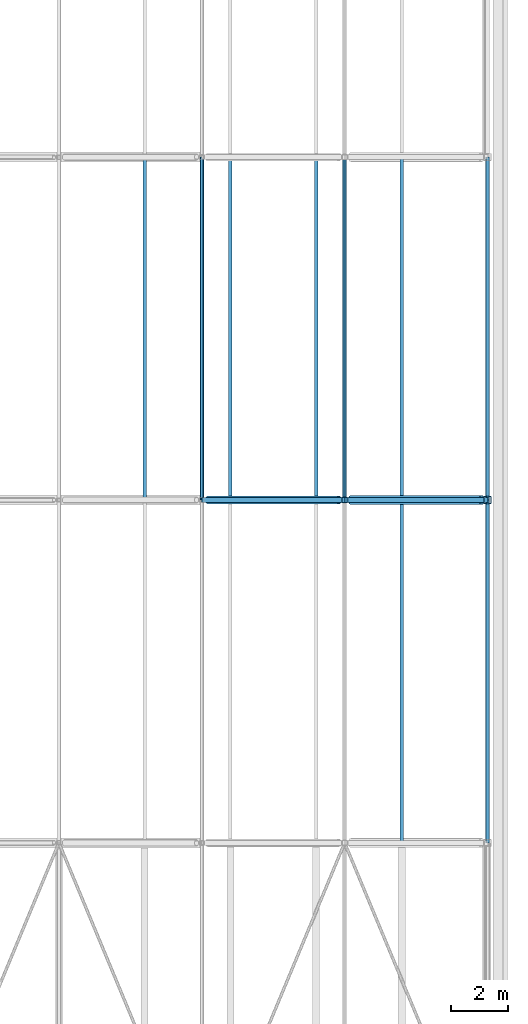
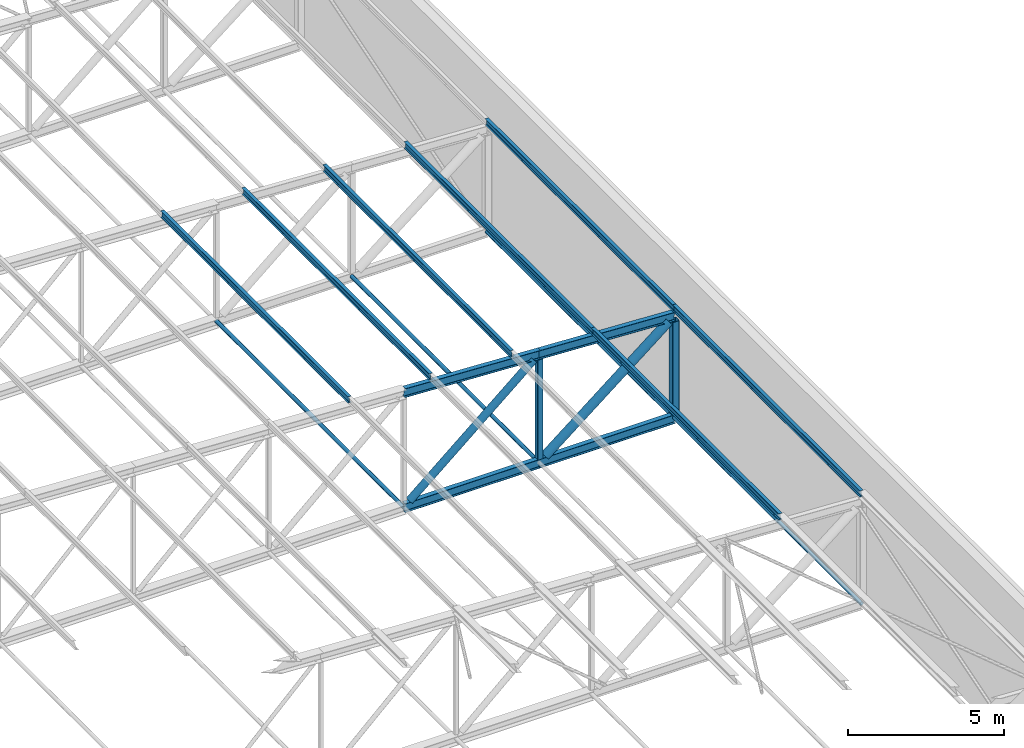
# One storey, part 43 of 156: 19 members.
"""IFC4 building model written with IfcOpenShell, lengths in metres."""

from ifc_helpers import new_model, si_unit, direction, frame, origin, origin_2d, place, context, subcontext, project, spatial, hollow_rectangle, hollow_circle, i_section, extrude, material, material_profile, profile_set, type_object, element, save


model = new_model("IFC4")

# Units and contexts
model_context = context("Model", 3, precision=1e-05, world=origin(), true_north=direction((0.0, 1.0)))
body_context = subcontext(model_context, "Body", "Model", "MODEL_VIEW")
ifc_project = project(units=[si_unit("LENGTHUNIT", "METRE"), si_unit("AREAUNIT", "SQUARE_METRE"), si_unit("VOLUMEUNIT", "CUBIC_METRE"), si_unit("PLANEANGLEUNIT", "RADIAN"), si_unit("MASSUNIT", "GRAM", prefix="KILO")], contexts=[model_context])

# Site, building, storey
site_placement = place(None, origin())
site = spatial("IfcSite", under=ifc_project, at=site_placement, CompositionType="ELEMENT")
building_placement = place(site_placement, origin())
building = spatial("IfcBuilding", under=site, at=building_placement, Name="Lilac Gate Convention Centre", CompositionType="ELEMENT")
storey_placement = place(building_placement, frame((0.0, 0.0, 17.0)))
storey = spatial("IfcBuildingStorey", under=building, at=storey_placement, Name="L03", CompositionType="ELEMENT", Elevation=17.0)

# Members
ifc_material = material(Name="Steel Q355B", Category="steel")
ifc_material_profile_1 = material_profile(ifc_material, hollow_circle(Radius=0.06982421875, WallThickness=0.0048828125, at=origin_2d()), Name="CHS139.7x5")
ifc_profile_set_1 = profile_set([ifc_material_profile_1], Name="Steel Q355B")
member_type_1 = type_object("IfcMemberType", Name="Bottom chord tie CHS139.7x5", PredefinedType="STRUT", material=ifc_profile_set_1)
for number, where, z_axis, x_axis, name in (
    (1, (90.0, 42.00341796875, 0.0), (0.0, 1.0, 0.0), (-1.0, 0.0, 0.0), "ST1 tie bay 2 node 13"),
    (2, (80.0, 54.00341796875, 0.0), (0.0, 1.0, 0.0), (-1.0, 0.0, 0.0), "ST1 tie bay 3 node 11"),
    (3, (85.0, 54.00341796875, 0.0), (0.0, 1.0, 0.0), (-1.0, 0.0, 0.0), "ST1 tie bay 3 node 12"),
    (4, (90.0, 54.00341796875, 0.0), (0.0, 1.0, 0.0), (-1.0, 0.0, 0.0), "ST1 tie bay 3 node 13"),
):
    element("IfcMember", number, at=place(storey_placement, frame(where, z_axis=z_axis, x_axis=x_axis)), inside=storey, type_object=member_type_1, Name=name, PredefinedType="STRUT", context=body_context, shape_type="SweptSolid", body=[
        extrude(hollow_circle(Radius=0.06982421875, WallThickness=0.0048828125, at=origin_2d()), origin(), (0.0, 0.0, 1.0), 11.9931640625),
    ])
ifc_material_profile_2 = material_profile(ifc_material, i_section(OverallWidth=0.125, OverallDepth=0.25, WebThickness=0.006103515625, FlangeThickness=0.009033203125, FilletRadius=0.008056640625, at=origin_2d()), Name="HN250x125x6x9")
ifc_profile_set_2 = profile_set([ifc_material_profile_2], Name="Steel Q355B")
member_type_2 = type_object("IfcMemberType", Name="Roof purlin HN250x125x6x9", PredefinedType="PURLIN", material=ifc_profile_set_2)
for number, where, z_axis, x_axis, name in (
    (5, (87.0, 42.0, 4.4501953125), (0.0, 1.0, 0.0), (-1.0, 0.0, 0.0), "PU2 purlin bay 2 line 20"),
    (6, (90.0, 42.0, 4.30029296875), (0.0, 1.0, 0.0), (-1.0, 0.0, 0.0), "PU2 purlin bay 2 line 21"),
    (7, (78.0, 54.0, 4.900146484375), (0.0, 1.0, 0.0), (-1.0, 0.0, 0.0), "PU2 purlin bay 3 line 17"),
    (8, (81.0, 54.0, 4.750244140625), (0.0, 1.0, 0.0), (-1.0, 0.0, 0.0), "PU2 purlin bay 3 line 18"),
    (9, (84.0, 54.0, 4.60009765625), (0.0, 1.0, 0.0), (-1.0, 0.0, 0.0), "PU2 purlin bay 3 line 19"),
    (10, (87.0, 54.0, 4.4501953125), (0.0, 1.0, 0.0), (-1.0, 0.0, 0.0), "PU2 purlin bay 3 line 20"),
    (11, (90.0, 54.0, 4.30029296875), (0.0, 1.0, 0.0), (-1.0, 0.0, 0.0), "PU2 purlin bay 3 line 21"),
):
    element("IfcMember", number, at=place(storey_placement, frame(where, z_axis=z_axis, x_axis=x_axis)), inside=storey, type_object=member_type_2, Name=name, PredefinedType="PURLIN", context=body_context, shape_type="SweptSolid", body=[
        extrude(i_section(OverallWidth=0.125, OverallDepth=0.25, WebThickness=0.006103515625, FlangeThickness=0.009033203125, FilletRadius=0.008056640625, at=origin_2d()), origin(), (0.0, 0.0, 1.0), 12.0),
    ])
ifc_material_profile_3 = material_profile(ifc_material, i_section(OverallWidth=0.175048828125, OverallDepth=0.35009765625, WebThickness=0.007080078125, FlangeThickness=0.010986328125, FilletRadius=0.012939453125, at=origin_2d()), Name="HN350x175x7x11")
ifc_profile_set_3 = profile_set([ifc_material_profile_3], Name="Steel Q355B")
member_type_3 = type_object("IfcMemberType", Name="Truss bottom chord HN350x175x7x11", PredefinedType="CHORD", material=ifc_profile_set_3)
for number, where, z_axis, x_axis, name in (
    (12, (80.0, 54.0, 0.0), (1.0, 0.0, 0.0), (0.0, 1.0, 0.0), "TB1 truss 3 bottom chord 11"),
    (13, (85.0, 54.0, 0.0), (1.0, 0.0, 0.0), (0.0, 1.0, 0.0), "TB1 truss 3 bottom chord 12"),
):
    element("IfcMember", number, at=place(storey_placement, frame(where, z_axis=z_axis, x_axis=x_axis)), inside=storey, type_object=member_type_3, Name=name, PredefinedType="CHORD", context=body_context, shape_type="SweptSolid", body=[
        extrude(i_section(OverallWidth=0.175048828125, OverallDepth=0.35009765625, WebThickness=0.007080078125, FlangeThickness=0.010986328125, FilletRadius=0.012939453125, at=origin_2d()), origin(), (0.0, 0.0, 1.0), 5.0),
    ])
ifc_material_profile_4 = material_profile(ifc_material, hollow_circle(Radius=0.136474609375, WallThickness=0.010009765625, at=origin_2d()), Name="CHS273x10")
ifc_profile_set_4 = profile_set([ifc_material_profile_4], Name="Steel Q355B")
member_type_4 = type_object("IfcMemberType", Name="Truss diagonal CHS273x10", PredefinedType="BRACE", material=ifc_profile_set_4)
member_1_placement = place(storey_placement, frame((84.806884765625, 54.0, 4.085693359375), z_axis=(-0.761961263863, 0.0, -0.647622600263), x_axis=(0.0, -1.0, 0.0)))
element("IfcMember", 14, at=member_1_placement, inside=storey, type_object=member_type_4, Name="TW2 truss 3 diagonal 11", PredefinedType="BRACE", context=body_context, shape_type="SweptSolid", body=[
    extrude(hollow_circle(Radius=0.136474609375, WallThickness=0.010009765625, at=origin_2d()), origin(), (0.0, 0.0, 1.0), 6.03857421875),
])
ifc_material_profile_5 = material_profile(ifc_material, hollow_circle(Radius=0.161865234375, WallThickness=0.011962890625, at=origin_2d()), Name="CHS323.9x12")
ifc_profile_set_5 = profile_set([ifc_material_profile_5], Name="Steel Q355B")
member_type_5 = type_object("IfcMemberType", Name="Truss diagonal CHS323.9x12", PredefinedType="BRACE", material=ifc_profile_set_5)
member_2_placement = place(storey_placement, frame((89.794677734375, 54.0, 3.835693359375), z_axis=(-0.780876938611, 0.0, -0.624684885959), x_axis=(0.0, -1.0, 0.0)))
element("IfcMember", 15, at=member_2_placement, inside=storey, type_object=member_type_5, Name="TW1 truss 3 diagonal 12", PredefinedType="BRACE", context=body_context, shape_type="SweptSolid", body=[
    extrude(hollow_circle(Radius=0.161865234375, WallThickness=0.011962890625, at=origin_2d()), origin(), (0.0, 0.0, 1.0), 5.860107421875),
])
ifc_material_profile_6 = material_profile(ifc_material, i_section(OverallWidth=0.175048828125, OverallDepth=0.35009765625, WebThickness=0.007080078125, FlangeThickness=0.010986328125, FilletRadius=0.012939453125, at=origin_2d()), Name="HN350x175x7x11")
ifc_profile_set_6 = profile_set([ifc_material_profile_6], Name="Steel Q355B")
member_type_6 = type_object("IfcMemberType", Name="Truss top chord HN350x175x7x11", PredefinedType="CHORD", material=ifc_profile_set_6)
for number, where, z_axis, x_axis, name in (
    (16, (80.0, 54.0, 4.5), (0.998752338878, 0.0, -0.049937616944), (0.0, 1.0, 0.0), "TT1 truss 3 top chord 11"),
    (17, (85.0, 54.0, 4.25), (0.998752338878, 0.0, -0.049937616944), (0.0, 1.0, 0.0), "TT1 truss 3 top chord 12"),
):
    element("IfcMember", number, at=place(storey_placement, frame(where, z_axis=z_axis, x_axis=x_axis)), inside=storey, type_object=member_type_6, Name=name, PredefinedType="CHORD", context=body_context, shape_type="SweptSolid", body=[
        extrude(i_section(OverallWidth=0.175048828125, OverallDepth=0.35009765625, WebThickness=0.007080078125, FlangeThickness=0.010986328125, FilletRadius=0.012939453125, at=origin_2d()), origin(), (0.0, 0.0, 1.0), 5.00634765625),
    ])
ifc_material_profile_7 = material_profile(ifc_material, hollow_rectangle(XDim=0.199951171875, YDim=0.199951171875, WallThickness=0.008056640625, InnerFilletRadius=0.011962890625, OuterFilletRadius=0.02001953125, at=origin_2d()), Name="SHS200x200x8")
ifc_profile_set_7 = profile_set([ifc_material_profile_7], Name="Steel Q355B")
member_type_7 = type_object("IfcMemberType", Name="Truss vertical SHS200x200x8", PredefinedType="STRUT", material=ifc_profile_set_7)
member_3_placement = place(storey_placement, frame((85.0, 54.0, 0.175048828125), z_axis=(0.0, 0.0, 1.0), x_axis=(1.0, 0.0, 0.0)))
element("IfcMember", 18, at=member_3_placement, inside=storey, type_object=member_type_7, Name="TV2 truss 3 vertical 12", PredefinedType="STRUT", context=body_context, shape_type="SweptSolid", body=[
    extrude(hollow_rectangle(XDim=0.199951171875, YDim=0.199951171875, WallThickness=0.008056640625, InnerFilletRadius=0.011962890625, OuterFilletRadius=0.02001953125, at=origin_2d()), origin(), (0.0, 0.0, 1.0), 3.899658203125),
])
ifc_material_profile_8 = material_profile(ifc_material, hollow_rectangle(XDim=0.25, YDim=0.25, WallThickness=0.010009765625, InnerFilletRadius=0.014892578125, OuterFilletRadius=0.02490234375, at=origin_2d()), Name="SHS250x250x10")
ifc_profile_set_8 = profile_set([ifc_material_profile_8], Name="Steel Q355B")
member_type_8 = type_object("IfcMemberType", Name="Truss vertical SHS250x250x10", PredefinedType="STRUT", material=ifc_profile_set_8)
member_4_placement = place(storey_placement, frame((90.0, 54.0, 0.175048828125), z_axis=(0.0, 0.0, 1.0), x_axis=(1.0, 0.0, 0.0)))
element("IfcMember", 19, at=member_4_placement, inside=storey, type_object=member_type_8, Name="TV1 truss 3 vertical 13", PredefinedType="STRUT", context=body_context, shape_type="SweptSolid", body=[
    extrude(hollow_rectangle(XDim=0.25, YDim=0.25, WallThickness=0.010009765625, InnerFilletRadius=0.014892578125, OuterFilletRadius=0.02490234375, at=origin_2d()), origin(), (0.0, 0.0, 1.0), 3.649658203125),
])

save(model, "model.ifc")
